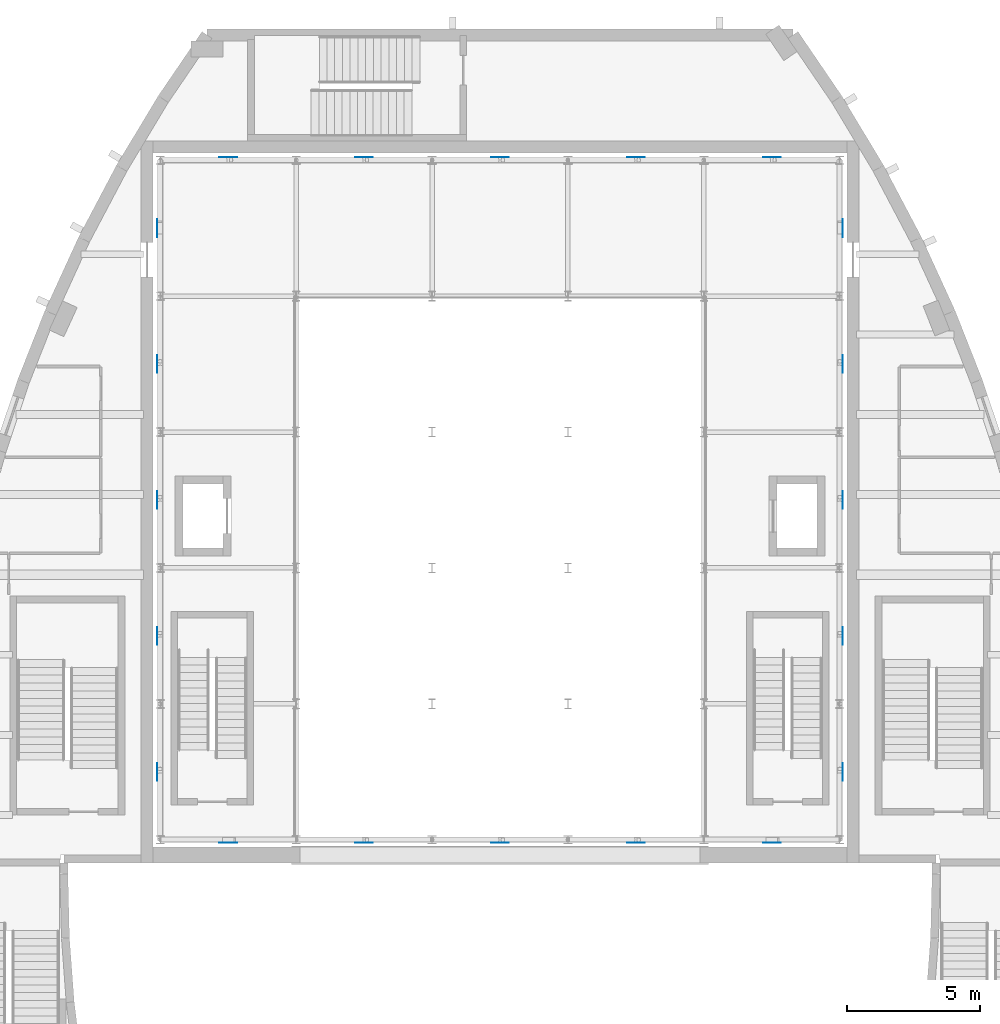
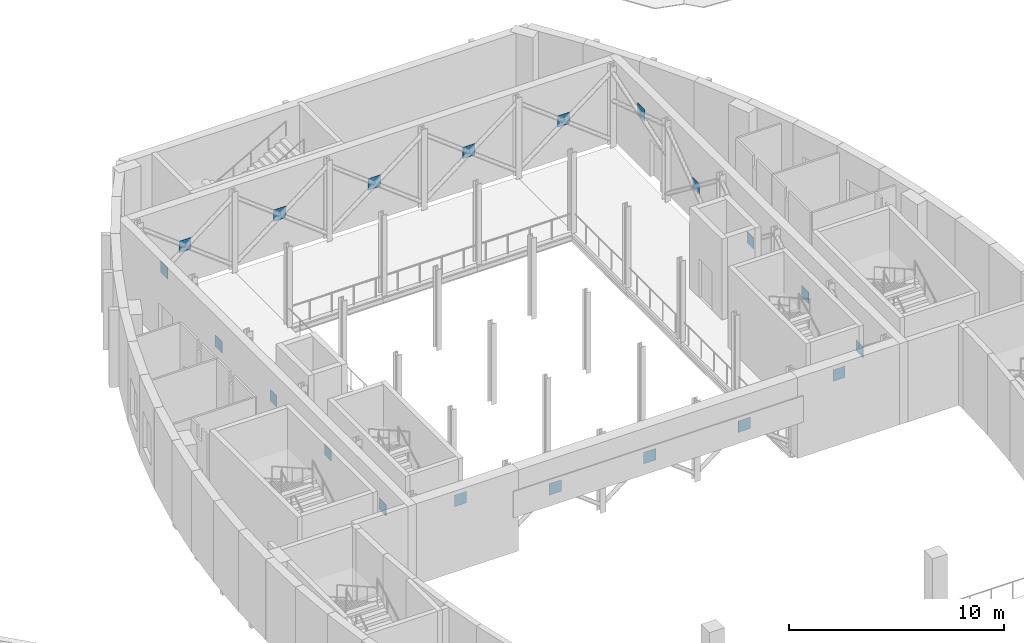
# One storey, part 28 of 56: 20 plates.
"""IFC4 building model written with IfcOpenShell, lengths in metres."""

from ifc_helpers import new_model, si_unit, direction, frame, origin, origin_2d, place, context, subcontext, project, spatial, rectangle, extrude, material, layer, layer_set, type_object, element, save


model = new_model("IFC4")

# Units and contexts
model_context = context("Model", 3, precision=1e-05, world=origin(), true_north=direction((0.0, 1.0)))
body_context = subcontext(model_context, "Body", "Model", "MODEL_VIEW")
ifc_project = project(units=[si_unit("LENGTHUNIT", "METRE"), si_unit("AREAUNIT", "SQUARE_METRE"), si_unit("VOLUMEUNIT", "CUBIC_METRE"), si_unit("PLANEANGLEUNIT", "RADIAN"), si_unit("MASSUNIT", "GRAM", prefix="KILO")], contexts=[model_context])

# Site, building, storey
site_placement = place(None, origin())
site = spatial("IfcSite", under=ifc_project, at=site_placement, CompositionType="ELEMENT")
building_placement = place(site_placement, origin())
building = spatial("IfcBuilding", under=site, at=building_placement, Name="Tide Square Theatres", CompositionType="ELEMENT")
storey_placement = place(building_placement, frame((0.0, 0.0, 10.199951171875)))
storey = spatial("IfcBuildingStorey", under=building, at=storey_placement, Name="L02", CompositionType="ELEMENT", Elevation=10.199951171875)

# Plates
ifc_material = material(Name="Steel ASTM A572 Grade 50", Category="steel")
ifc_layer = layer(ifc_material, 0.010009765625)
ifc_layer_set = layer_set([ifc_layer], Name="Steel ASTM A572 Grade 50")
plate_type = type_object("IfcPlateType", Name="Steel end plate 10 thick", PredefinedType="USERDEFINED", material=ifc_layer_set)
for number, where, z_axis, x_axis, name in (
    (1, (73.82080078125, 56.16357421875, 3.096435546875), (0.0, 0.0, 1.0), (0.0, -1.0, 0.0), "Fly tower brace crossing node plate"),
    (2, (78.910400390625, 56.16357421875, 1.971435546875), (0.0, 0.0, 1.0), (0.0, -1.0, 0.0), "Fly tower brace crossing node plate"),
    (3, (84.0, 56.16357421875, 1.971435546875), (0.0, 0.0, 1.0), (0.0, -1.0, 0.0), "Fly tower brace crossing node plate"),
    (4, (89.089599609375, 56.16357421875, 1.971435546875), (0.0, 0.0, 1.0), (0.0, -1.0, 0.0), "Fly tower brace crossing node plate"),
    (5, (94.17919921875, 56.16357421875, 3.096435546875), (0.0, 0.0, 1.0), (0.0, -1.0, 0.0), "Fly tower brace crossing node plate"),
    (6, (73.82080078125, 81.836669921875, 1.971435546875), (0.0, 0.0, 1.0), (0.0, 1.0, 0.0), "Fly tower brace crossing node plate"),
    (7, (78.910400390625, 81.836669921875, 1.971435546875), (0.0, 0.0, 1.0), (0.0, 1.0, 0.0), "Fly tower brace crossing node plate"),
    (8, (84.0, 81.836669921875, 1.971435546875), (0.0, 0.0, 1.0), (0.0, 1.0, 0.0), "Fly tower brace crossing node plate"),
    (9, (89.089599609375, 81.836669921875, 1.971435546875), (0.0, 0.0, 1.0), (0.0, 1.0, 0.0), "Fly tower brace crossing node plate"),
    (10, (94.17919921875, 81.836669921875, 1.971435546875), (0.0, 0.0, 1.0), (0.0, 1.0, 0.0), "Fly tower brace crossing node plate"),
    (11, (71.163330078125, 58.82080078125, 1.971435546875), (0.0, 0.0, 1.0), (-1.0, 0.0, 0.0), "Fly tower brace crossing node plate"),
    (12, (71.163330078125, 63.910400390625, 1.971435546875), (0.0, 0.0, 1.0), (-1.0, 0.0, 0.0), "Fly tower brace crossing node plate"),
    (13, (71.163330078125, 69.0, 1.971435546875), (0.0, 0.0, 1.0), (-1.0, 0.0, 0.0), "Fly tower brace crossing node plate"),
    (14, (71.163330078125, 74.089599609375, 1.971435546875), (0.0, 0.0, 1.0), (-1.0, 0.0, 0.0), "Fly tower brace crossing node plate"),
    (15, (71.163330078125, 79.17919921875, 3.096435546875), (0.0, 0.0, 1.0), (-1.0, 0.0, 0.0), "Fly tower brace crossing node plate"),
    (16, (96.83642578125, 58.82080078125, 1.971435546875), (0.0, 0.0, 1.0), (1.0, 0.0, 0.0), "Fly tower brace crossing node plate"),
    (17, (96.83642578125, 63.910400390625, 1.971435546875), (0.0, 0.0, 1.0), (1.0, 0.0, 0.0), "Fly tower brace crossing node plate"),
    (18, (96.83642578125, 69.0, 1.971435546875), (0.0, 0.0, 1.0), (1.0, 0.0, 0.0), "Fly tower brace crossing node plate"),
    (19, (96.83642578125, 74.089599609375, 1.971435546875), (0.0, 0.0, 1.0), (1.0, 0.0, 0.0), "Fly tower brace crossing node plate"),
    (20, (96.83642578125, 79.17919921875, 3.096435546875), (0.0, 0.0, 1.0), (1.0, 0.0, 0.0), "Fly tower brace crossing node plate"),
):
    element("IfcPlate", number, at=place(storey_placement, frame(where, z_axis=z_axis, x_axis=x_axis)), inside=storey, type_object=plate_type, Name=name, ObjectType="END PLATE", PredefinedType="USERDEFINED", context=body_context, shape_type="SweptSolid", body=[
        extrude(rectangle(XDim=0.010009765625, YDim=0.6572265625, at=origin_2d()), origin(), (0.0, 0.0, 1.0), 0.6572265625),
    ])

save(model, "model.ifc")
